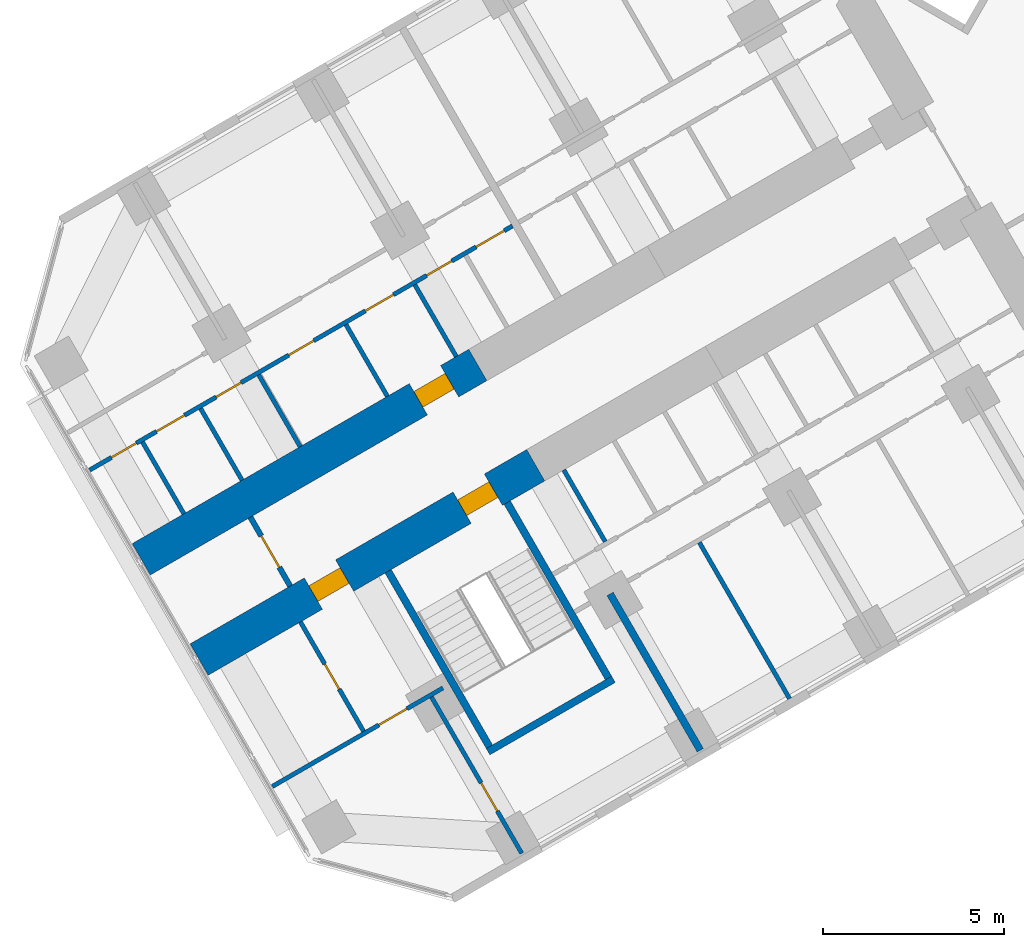
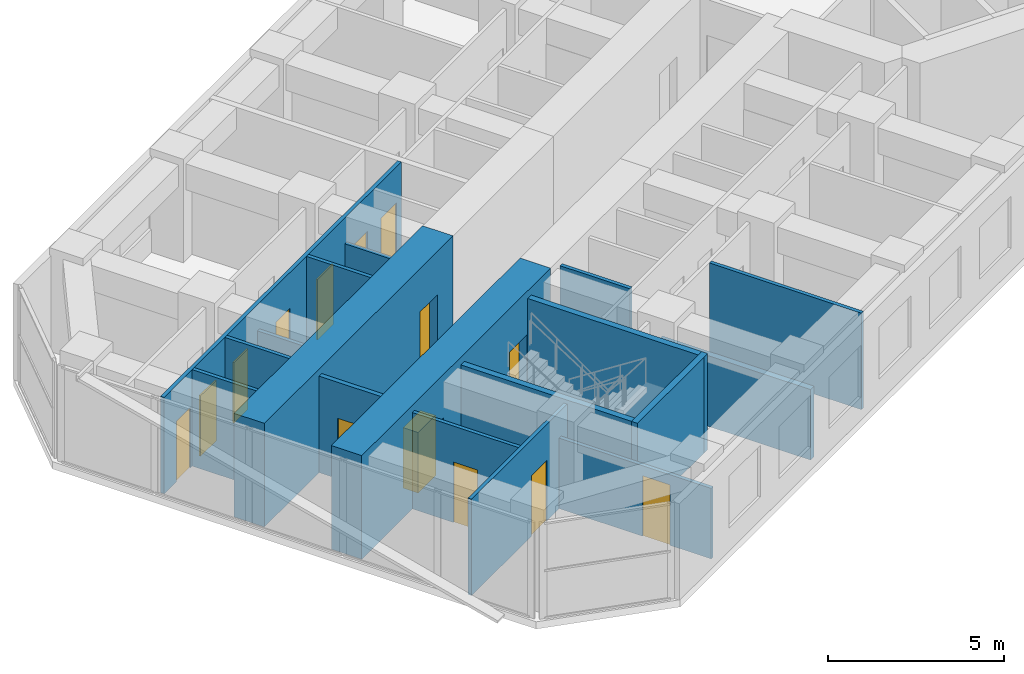
# One storey, part 8 of 18: 18 walls, 14 doors, 14 openings.
"""IFC4 building model written with IfcOpenShell, lengths in metres."""

from ifc_helpers import new_model, si_unit, direction, frame, frame_2d, origin, place, context, subcontext, project, spatial, rectangle, extrude, material, layer, layer_set, type_object, element, fill, save


model = new_model("IFC4")

# Units and contexts
model_context = context("Model", 3, precision=1e-05, world=origin(), true_north=direction((0.0, 1.0)))
body_context = subcontext(model_context, "Body", "Model", "MODEL_VIEW")
ifc_project = project(units=[si_unit("LENGTHUNIT", "METRE"), si_unit("AREAUNIT", "SQUARE_METRE"), si_unit("VOLUMEUNIT", "CUBIC_METRE"), si_unit("PLANEANGLEUNIT", "RADIAN"), si_unit("MASSUNIT", "GRAM", prefix="KILO")], contexts=[model_context])

# Site, building, storey
site_placement = place(None, origin())
site = spatial("IfcSite", under=ifc_project, at=site_placement, CompositionType="ELEMENT")
building_placement = place(site_placement, origin())
building = spatial("IfcBuilding", under=site, at=building_placement, Name="Kosmar Iwan School Tower", CompositionType="ELEMENT")
storey_placement = place(building_placement, frame((0.0, 0.0, 25.199951171875)))
storey = spatial("IfcBuildingStorey", under=building, at=storey_placement, Name="L05", CompositionType="ELEMENT", Elevation=25.199951171875)

# Wall, openings, doors
ifc_material_1 = material(Name="Concrete C50/60", Category="concrete")
ifc_layer_1 = layer(ifc_material_1, 1.0)
ifc_layer_set_1 = layer_set([ifc_layer_1], Name="Corridor buttress wall 1000")
wall_type_1 = type_object("IfcWallType", Name="Corridor buttress wall 1000", PredefinedType="SHEAR", material=ifc_layer_set_1)
wall_1_placement = place(storey_placement, frame((-19.681396484375, -13.210693359375, 0.0), z_axis=(0.0, 0.0, 1.0), x_axis=(-0.866028186671, -0.499995179869, 0.0)))
wall_1 = element("IfcWall", 1, at=wall_1_placement, inside=storey, type_object=wall_type_1, Name="Corridor wall BL bay 3", PredefinedType="SHEAR", context=body_context, shape_type="SweptSolid", body=[
    extrude(rectangle(XDim=10.7451171875, YDim=1.0, at=frame_2d((5.37255859375, 0.0))), origin(), (0.0, 0.0, 1.0), 3.60009765625),
])
opening_1_placement = place(wall_1_placement, frame((6.10009765625, 0.0, 0.0)))
opening_1 = element("IfcOpeningElement", 2, at=opening_1_placement, cuts=wall_1, Name="Opening D1", PredefinedType="OPENING", context=body_context, shape_type="SweptSolid", body=[
    extrude(rectangle(XDim=1.0, YDim=2.10009765625, at=frame_2d((0.5, 1.050048828125))), frame((0.0, 0.511962890625, 0.0), z_axis=(0.0, -1.0, 0.0), x_axis=(1.0, 0.0, 0.0)), (0.0, 0.0, 1.0), 1.02392578125),
])
opening_2_placement = place(wall_1_placement, frame((1.35009765625, 0.0, 0.0)))
opening_2 = element("IfcOpeningElement", 3, at=opening_2_placement, cuts=wall_1, Name="Opening D6", PredefinedType="OPENING", context=body_context, shape_type="SweptSolid", body=[
    extrude(rectangle(XDim=1.0, YDim=2.10009765625, at=frame_2d((0.5, 1.050048828125))), frame((0.0, 0.511962890625, 0.0), z_axis=(0.0, -1.0, 0.0), x_axis=(1.0, 0.0, 0.0)), (0.0, 0.0, 1.0), 1.02392578125),
])
ifc_material_2 = material(Name="Timber fire door in steel frame", Category="steel")
door_type_1 = type_object("IfcDoorType", Name="Flat entrance door 1000x2100", OperationType="SINGLE_SWING_LEFT", PredefinedType="DOOR", material=ifc_material_2)
door_1_placement = place(opening_1_placement, origin())
door_1 = element("IfcDoor", 4, at=door_1_placement, inside=storey, type_object=door_type_1, Name="Flat L05-BL2 entrance door", OperationType="SINGLE_SWING_RIGHT", OverallHeight=2.10009765625, OverallWidth=1.0, PredefinedType="DOOR", context=body_context, shape_type="SweptSolid", body=[
    extrude(rectangle(XDim=1.0, YDim=2.10009765625, at=frame_2d((0.5, 1.050048828125))), frame((0.0, 0.25, 0.0), z_axis=(0.0, -1.0, 0.0), x_axis=(1.0, 0.0, 0.0)), (0.0, 0.0, 1.0), 0.5),
])
fill(opening_1, door_1)
ifc_material_3 = material(Name="Steel fire door", Category="steel")
door_type_2 = type_object("IfcDoorType", Name="Stair door 1000x2100", OperationType="SINGLE_SWING_LEFT", PredefinedType="DOOR", material=ifc_material_3)
door_2_placement = place(opening_2_placement, origin())
door_2 = element("IfcDoor", 5, at=door_2_placement, inside=storey, type_object=door_type_2, Name="Stair WS2 door L05", OperationType="SINGLE_SWING_LEFT", OverallHeight=2.10009765625, OverallWidth=1.0, PredefinedType="DOOR", context=body_context, shape_type="SweptSolid", body=[
    extrude(rectangle(XDim=1.0, YDim=2.10009765625, at=frame_2d((0.5, 1.050048828125))), frame((0.0, 0.25, 0.0), z_axis=(0.0, -1.0, 0.0), x_axis=(1.0, 0.0, 0.0)), (0.0, 0.0, 1.0), 0.5),
])
fill(opening_2, door_2)

# Wall, opening, door
wall_2_placement = place(storey_placement, frame((-21.281494140625, -10.439453125, 0.0), z_axis=(0.0, 0.0, 1.0), x_axis=(-0.866032345022, -0.499987977232, 0.0)))
wall_2 = element("IfcWall", 6, at=wall_2_placement, inside=storey, type_object=wall_type_1, Name="Corridor wall BR bay 3", PredefinedType="SHEAR", context=body_context, shape_type="SweptSolid", body=[
    extrude(rectangle(XDim=10.744873046875, YDim=1.0, at=frame_2d((5.37255859375, 0.0))), origin(), (0.0, 0.0, 1.0), 3.60009765625),
])
opening_3_placement = place(wall_2_placement, frame((0.89990234375, 0.0, 0.0)))
opening_3 = element("IfcOpeningElement", 7, at=opening_3_placement, cuts=wall_2, Name="Opening D1", PredefinedType="OPENING", context=body_context, shape_type="SweptSolid", body=[
    extrude(rectangle(XDim=1.0, YDim=2.10009765625, at=frame_2d((0.5, 1.050048828125))), frame((0.0, 0.511962890625, 0.0), z_axis=(0.0, -1.0, 0.0), x_axis=(1.0, 0.0, 0.0)), (0.0, 0.0, 1.0), 1.02392578125),
])
door_3_placement = place(opening_3_placement, origin())
door_3 = element("IfcDoor", 8, at=door_3_placement, inside=storey, type_object=door_type_1, Name="Flat L05-BR2 entrance door", OperationType="SINGLE_SWING_LEFT", OverallHeight=2.10009765625, OverallWidth=1.0, PredefinedType="DOOR", context=body_context, shape_type="SweptSolid", body=[
    extrude(rectangle(XDim=1.0, YDim=2.10009765625, at=frame_2d((0.5, 1.050048828125))), frame((0.0, 0.25, 0.0), z_axis=(0.0, -1.0, 0.0), x_axis=(1.0, 0.0, 0.0)), (0.0, 0.0, 1.0), 0.5),
])
fill(opening_3, door_3)

ifc_material_4 = material(Name="Gypsum board on steel studs, fire-rated", Category="steel")
ifc_layer_2 = layer(ifc_material_4, 0.14990234375)
ifc_layer_set_2 = layer_set([ifc_layer_2], Name="Corridor end wall 150")
wall_type_2 = type_object("IfcWallType", Name="Corridor end wall 150", PredefinedType="PARTITIONING", material=ifc_layer_set_2)
wall_3_placement = place(storey_placement, frame((-27.570068359375, -14.6474609375, 0.0), z_axis=(0.0, 0.0, 1.0), x_axis=(0.50002983664, -0.866008176907, 0.0)))
wall_3 = element("IfcWall", 9, at=wall_3_placement, inside=storey, type_object=wall_type_2, Name="Partition L05-B-CE", PredefinedType="PARTITIONING", context=body_context, shape_type="SweptSolid", body=[
    extrude(rectangle(XDim=2.199951171875, YDim=0.14990234375, at=frame_2d((1.10009765625, 0.0))), origin(), (0.0, 0.0, 1.0), 3.35009765625),
])
opening_4_placement = place(wall_3_placement, frame((0.60009765625, 0.0, 0.0)))
opening_4 = element("IfcOpeningElement", 10, at=opening_4_placement, cuts=wall_3, Name="Opening D13", PredefinedType="OPENING", context=body_context, shape_type="SweptSolid", body=[
    extrude(rectangle(XDim=1.0, YDim=2.10009765625, at=frame_2d((0.5, 1.050048828125))), frame((0.0, 0.0869140625, 0.0), z_axis=(0.0, -1.0, 0.0), x_axis=(1.0, 0.0, 0.0)), (0.0, 0.0, 1.0), 0.173828125),
])
ifc_material_5 = material(Name="Timber fire door with vision panel", Category="wood")
door_type_3 = type_object("IfcDoorType", Name="Corridor end door 1000x2100", OperationType="SINGLE_SWING_LEFT", PredefinedType="DOOR", material=ifc_material_5)
door_4_placement = place(opening_4_placement, origin())
door_4 = element("IfcDoor", 11, at=door_4_placement, inside=storey, type_object=door_type_3, Name="Children's play room door L05-B", OperationType="SINGLE_SWING_RIGHT", OverallHeight=2.10009765625, OverallWidth=1.0, PredefinedType="DOOR", context=body_context, shape_type="SweptSolid", body=[
    extrude(rectangle(XDim=1.0, YDim=2.10009765625, at=frame_2d((0.5, 1.050048828125))), frame((0.0, 0.02490234375, 0.0), z_axis=(0.0, -1.0, 0.0), x_axis=(1.0, 0.0, 0.0)), (0.0, 0.0, 1.0), 0.050048828125),
])
fill(opening_4, door_4)

# Walls
ifc_material_6 = material(Name="Gypsum board on steel studs", Category="steel")
ifc_layer_3 = layer(ifc_material_6, 0.1201171875)
ifc_layer_set_3 = layer_set([ifc_layer_3], Name="Dwelling partition 120")
wall_type_3 = type_object("IfcWallType", Name="Dwelling partition 120", PredefinedType="PARTITIONING", material=ifc_layer_set_3)
wall_4_placement = place(storey_placement, frame((-15.158447265625, -15.344970703125, 0.0), z_axis=(0.0, 0.0, 1.0), x_axis=(0.500011847778, -0.866018563358, 0.0)))
element("IfcWall", 12, at=wall_4_placement, inside=storey, type_object=wall_type_3, Name="Partition L05-BL1-X4", PredefinedType="PARTITIONING", context=body_context, shape_type="SweptSolid", body=[
    extrude(rectangle(XDim=4.990234375, YDim=0.1201171875, at=frame_2d((2.4951171875, 0.0))), origin(), (0.0, 0.0, 1.0), 3.35009765625),
])
wall_5_placement = place(storey_placement, frame((-18.906005859375, -13.34033203125, 0.0), z_axis=(0.0, 0.0, 1.0), x_axis=(0.500014693593, -0.866016920268, 0.0)))
element("IfcWall", 13, at=wall_5_placement, inside=storey, type_object=wall_type_3, Name="Partition L05-BL1-Y7", PredefinedType="PARTITIONING", context=body_context, shape_type="SweptSolid", body=[
    extrude(rectangle(XDim=2.2900390625, YDim=0.1201171875, at=frame_2d((1.14501953125, 0.0))), origin(), (0.0, 0.0, 1.0), 3.35009765625),
])

# Wall, opening, door
wall_6_placement = place(storey_placement, frame((-22.562744140625, -19.6201171875, 0.0), z_axis=(0.0, 0.0, 1.0), x_axis=(0.499996339024, -0.86602751744, 0.0)))
wall_6 = element("IfcWall", 14, at=wall_6_placement, inside=storey, type_object=wall_type_3, Name="Partition L05-BL2-TX", PredefinedType="PARTITIONING", context=body_context, shape_type="SweptSolid", body=[
    extrude(rectangle(XDim=4.98974609375, YDim=0.1201171875, at=frame_2d((2.494873046875, 0.0))), origin(), (0.0, 0.0, 1.0), 2.449951171875),
])
opening_5_placement = place(wall_6_placement, frame((2.739990234375, 0.0, 0.0)))
opening_5 = element("IfcOpeningElement", 15, at=opening_5_placement, cuts=wall_6, Name="Opening D2", PredefinedType="OPENING", context=body_context, shape_type="SweptSolid", body=[
    extrude(rectangle(XDim=0.89990234375, YDim=2.10009765625, at=frame_2d((0.449951171875, 1.050048828125))), frame((0.0, 0.072021484375, 0.0), z_axis=(0.0, -1.0, 0.0), x_axis=(1.0, 0.0, 0.0)), (0.0, 0.0, 1.0), 0.14404296875),
])
ifc_material_7 = material(Name="Timber door in timber frame", Category="wood")
door_type_4 = type_object("IfcDoorType", Name="Internal door 900x2100", OperationType="SINGLE_SWING_LEFT", PredefinedType="DOOR", material=ifc_material_7)
door_5_placement = place(opening_5_placement, origin())
door_5 = element("IfcDoor", 16, at=door_5_placement, inside=storey, type_object=door_type_4, Name="Bedroom 1 door L05-BL2-T1", OperationType="SINGLE_SWING_RIGHT", OverallHeight=2.10009765625, OverallWidth=0.89990234375, PredefinedType="DOOR", context=body_context, shape_type="SweptSolid", body=[
    extrude(rectangle(XDim=0.89990234375, YDim=2.10009765625, at=frame_2d((0.449951171875, 1.050048828125))), frame((0.0, 0.02490234375, 0.0), z_axis=(0.0, -1.0, 0.0), x_axis=(1.0, 0.0, 0.0)), (0.0, 0.0, 1.0), 0.050048828125),
])
fill(opening_5, door_5)

wall_7_placement = place(storey_placement, frame((-22.246337890625, -19.3681640625, 0.0), z_axis=(0.0, 0.0, 1.0), x_axis=(-0.866035508231, -0.499982498177, 0.0)))
wall_7 = element("IfcWall", 17, at=wall_7_placement, inside=storey, type_object=wall_type_3, Name="Partition L05-BL2-TW", PredefinedType="PARTITIONING", context=body_context, shape_type="SweptSolid", body=[
    extrude(rectangle(XDim=5.445068359375, YDim=0.1201171875, at=frame_2d((2.72265625, 0.0))), origin(), (0.0, 0.0, 1.0), 3.35009765625),
])
opening_6_placement = place(wall_7_placement, frame((1.14990234375, 0.0, 0.0)))
opening_6 = element("IfcOpeningElement", 18, at=opening_6_placement, cuts=wall_7, Name="Opening D2", PredefinedType="OPENING", context=body_context, shape_type="SweptSolid", body=[
    extrude(rectangle(XDim=0.89990234375, YDim=2.10009765625, at=frame_2d((0.449951171875, 1.050048828125))), frame((0.0, 0.072021484375, 0.0), z_axis=(0.0, -1.0, 0.0), x_axis=(1.0, 0.0, 0.0)), (0.0, 0.0, 1.0), 0.14404296875),
])
door_6_placement = place(opening_6_placement, origin())
door_6 = element("IfcDoor", 19, at=door_6_placement, inside=storey, type_object=door_type_4, Name="Entrance hall door L05-BL2-T3", OperationType="SINGLE_SWING_LEFT", OverallHeight=2.10009765625, OverallWidth=0.89990234375, PredefinedType="DOOR", context=body_context, shape_type="SweptSolid", body=[
    extrude(rectangle(XDim=0.89990234375, YDim=2.10009765625, at=frame_2d((0.449951171875, 1.050048828125))), frame((0.0, 0.02490234375, 0.0), z_axis=(0.0, -1.0, 0.0), x_axis=(1.0, 0.0, 0.0)), (0.0, 0.0, 1.0), 0.050048828125),
])
fill(opening_6, door_6)

wall_8_placement = place(storey_placement, frame((-26.1865234375, -17.543701171875, 0.0), z_axis=(0.0, 0.0, 1.0), x_axis=(0.50002117804, -0.866013176292, 0.0)))
wall_8 = element("IfcWall", 20, at=wall_8_placement, inside=storey, type_object=wall_type_3, Name="Partition L05-BL2-TY", PredefinedType="PARTITIONING", context=body_context, shape_type="SweptSolid", body=[
    extrude(rectangle(XDim=3.489990234375, YDim=0.1201171875, at=frame_2d((1.7451171875, 0.0))), origin(), (0.0, 0.0, 1.0), 3.35009765625),
])
opening_7_placement = place(wall_8_placement, frame((1.344970703125, 0.0, 0.0)))
opening_7 = element("IfcOpeningElement", 21, at=opening_7_placement, cuts=wall_8, Name="Opening D3", PredefinedType="OPENING", context=body_context, shape_type="SweptSolid", body=[
    extrude(rectangle(XDim=0.800048828125, YDim=2.10009765625, at=frame_2d((0.39990234375, 1.050048828125))), frame((0.0, 0.072021484375, 0.0), z_axis=(0.0, -1.0, 0.0), x_axis=(1.0, 0.0, 0.0)), (0.0, 0.0, 1.0), 0.14404296875),
])
ifc_material_8 = material(Name="Timber door in timber frame", Category="wood")
door_type_5 = type_object("IfcDoorType", Name="Sanitary room door 800x2100", OperationType="SINGLE_SWING_LEFT", PredefinedType="DOOR", material=ifc_material_8)
door_7_placement = place(opening_7_placement, origin())
door_7 = element("IfcDoor", 22, at=door_7_placement, inside=storey, type_object=door_type_5, Name="Bathroom door L05-BL2-T4", OperationType="SINGLE_SWING_LEFT", OverallHeight=2.10009765625, OverallWidth=0.800048828125, PredefinedType="DOOR", context=body_context, shape_type="SweptSolid", body=[
    extrude(rectangle(XDim=0.800048828125, YDim=2.10009765625, at=frame_2d((0.39990234375, 1.050048828125))), frame((0.0, 0.02490234375, 0.0), z_axis=(0.0, -1.0, 0.0), x_axis=(1.0, 0.0, 0.0)), (0.0, 0.0, 1.0), 0.050048828125),
])
fill(opening_7, door_7)

# Wall, openings, doors
wall_9_placement = place(storey_placement, frame((-20.324951171875, -6.59619140625, 0.0), z_axis=(0.0, 0.0, 1.0), x_axis=(-0.866023503214, -0.50000329187, 0.0)))
wall_9 = element("IfcWall", 23, at=wall_9_placement, inside=storey, type_object=wall_type_3, Name="Partition L05-BR2-W1", PredefinedType="PARTITIONING", context=body_context, shape_type="SweptSolid", body=[
    extrude(rectangle(XDim=13.4951171875, YDim=0.1201171875, at=frame_2d((6.74755859375, 0.0))), origin(), (0.0, 0.0, 1.0), 3.35009765625),
])
opening_8_placement = place(wall_9_placement, frame((0.262451171875, 0.0, 0.0)))
opening_8 = element("IfcOpeningElement", 24, at=opening_8_placement, cuts=wall_9, Name="Opening D2", PredefinedType="OPENING", context=body_context, shape_type="SweptSolid", body=[
    extrude(rectangle(XDim=0.89990234375, YDim=2.10009765625, at=frame_2d((0.449951171875, 1.050048828125))), frame((0.0, 0.072021484375, 0.0), z_axis=(0.0, -1.0, 0.0), x_axis=(1.0, 0.0, 0.0)), (0.0, 0.0, 1.0), 0.14404296875),
])
opening_9_placement = place(wall_9_placement, frame((1.9375, 0.0, 0.0)))
opening_9 = element("IfcOpeningElement", 25, at=opening_9_placement, cuts=wall_9, Name="Opening D3", PredefinedType="OPENING", context=body_context, shape_type="SweptSolid", body=[
    extrude(rectangle(XDim=0.800048828125, YDim=2.10009765625, at=frame_2d((0.39990234375, 1.050048828125))), frame((0.0, 0.072021484375, 0.0), z_axis=(0.0, -1.0, 0.0), x_axis=(1.0, 0.0, 0.0)), (0.0, 0.0, 1.0), 0.14404296875),
])
opening_10_placement = place(wall_9_placement, frame((3.800048828125, 0.0, 0.0)))
opening_10 = element("IfcOpeningElement", 26, at=opening_10_placement, cuts=wall_9, Name="Opening D2", PredefinedType="OPENING", context=body_context, shape_type="SweptSolid", body=[
    extrude(rectangle(XDim=0.89990234375, YDim=2.10009765625, at=frame_2d((0.449951171875, 1.050048828125))), frame((0.0, 0.072021484375, 0.0), z_axis=(0.0, -1.0, 0.0), x_axis=(1.0, 0.0, 0.0)), (0.0, 0.0, 1.0), 0.14404296875),
])
opening_11_placement = place(wall_9_placement, frame((6.341796875, 0.0, 0.0)))
opening_11 = element("IfcOpeningElement", 27, at=opening_11_placement, cuts=wall_9, Name="Opening D3", PredefinedType="OPENING", context=body_context, shape_type="SweptSolid", body=[
    extrude(rectangle(XDim=0.800048828125, YDim=2.10009765625, at=frame_2d((0.39990234375, 1.050048828125))), frame((0.0, 0.072021484375, 0.0), z_axis=(0.0, -1.0, 0.0), x_axis=(1.0, 0.0, 0.0)), (0.0, 0.0, 1.0), 0.14404296875),
])
opening_12_placement = place(wall_9_placement, frame((8.6611328125, 0.0, 0.0)))
opening_12 = element("IfcOpeningElement", 28, at=opening_12_placement, cuts=wall_9, Name="Opening D3", PredefinedType="OPENING", context=body_context, shape_type="SweptSolid", body=[
    extrude(rectangle(XDim=0.800048828125, YDim=2.10009765625, at=frame_2d((0.39990234375, 1.050048828125))), frame((0.0, 0.072021484375, 0.0), z_axis=(0.0, -1.0, 0.0), x_axis=(1.0, 0.0, 0.0)), (0.0, 0.0, 1.0), 0.14404296875),
])
opening_13_placement = place(wall_9_placement, frame((10.466796875, 0.0, 0.0)))
opening_13 = element("IfcOpeningElement", 29, at=opening_13_placement, cuts=wall_9, Name="Opening D2", PredefinedType="OPENING", context=body_context, shape_type="SweptSolid", body=[
    extrude(rectangle(XDim=0.89990234375, YDim=2.10009765625, at=frame_2d((0.449951171875, 1.050048828125))), frame((0.0, 0.072021484375, 0.0), z_axis=(0.0, -1.0, 0.0), x_axis=(1.0, 0.0, 0.0)), (0.0, 0.0, 1.0), 0.14404296875),
])
opening_14_placement = place(wall_9_placement, frame((12.00439453125, 0.0, 0.0)))
opening_14 = element("IfcOpeningElement", 30, at=opening_14_placement, cuts=wall_9, Name="Opening D3", PredefinedType="OPENING", context=body_context, shape_type="SweptSolid", body=[
    extrude(rectangle(XDim=0.800048828125, YDim=2.10009765625, at=frame_2d((0.39990234375, 1.050048828125))), frame((0.0, 0.072021484375, 0.0), z_axis=(0.0, -1.0, 0.0), x_axis=(1.0, 0.0, 0.0)), (0.0, 0.0, 1.0), 0.14404296875),
])
door_8_placement = place(opening_8_placement, origin())
door_8 = element("IfcDoor", 31, at=door_8_placement, inside=storey, type_object=door_type_4, Name="Utility room door L05-BR2-S1", OperationType="SINGLE_SWING_RIGHT", OverallHeight=2.10009765625, OverallWidth=0.89990234375, PredefinedType="DOOR", context=body_context, shape_type="SweptSolid", body=[
    extrude(rectangle(XDim=0.89990234375, YDim=2.10009765625, at=frame_2d((0.449951171875, 1.050048828125))), frame((0.0, 0.02490234375, 0.0), z_axis=(0.0, -1.0, 0.0), x_axis=(1.0, 0.0, 0.0)), (0.0, 0.0, 1.0), 0.050048828125),
])
fill(opening_8, door_8)
door_9_placement = place(opening_10_placement, origin())
door_9 = element("IfcDoor", 32, at=door_9_placement, inside=storey, type_object=door_type_4, Name="Entrance hall door L05-BR2-S3", OperationType="SINGLE_SWING_RIGHT", OverallHeight=2.10009765625, OverallWidth=0.89990234375, PredefinedType="DOOR", context=body_context, shape_type="SweptSolid", body=[
    extrude(rectangle(XDim=0.89990234375, YDim=2.10009765625, at=frame_2d((0.449951171875, 1.050048828125))), frame((0.0, 0.02490234375, 0.0), z_axis=(0.0, -1.0, 0.0), x_axis=(1.0, 0.0, 0.0)), (0.0, 0.0, 1.0), 0.050048828125),
])
fill(opening_10, door_9)
door_10_placement = place(opening_13_placement, origin())
door_10 = element("IfcDoor", 33, at=door_10_placement, inside=storey, type_object=door_type_4, Name="Pantry door L05-BR2-S6", OperationType="SINGLE_SWING_LEFT", OverallHeight=2.10009765625, OverallWidth=0.89990234375, PredefinedType="DOOR", context=body_context, shape_type="SweptSolid", body=[
    extrude(rectangle(XDim=0.89990234375, YDim=2.10009765625, at=frame_2d((0.449951171875, 1.050048828125))), frame((0.0, 0.02490234375, 0.0), z_axis=(0.0, -1.0, 0.0), x_axis=(1.0, 0.0, 0.0)), (0.0, 0.0, 1.0), 0.050048828125),
])
fill(opening_13, door_10)
door_11_placement = place(opening_9_placement, origin())
door_11 = element("IfcDoor", 34, at=door_11_placement, inside=storey, type_object=door_type_5, Name="WC door L05-BR2-S2", OperationType="SINGLE_SWING_LEFT", OverallHeight=2.10009765625, OverallWidth=0.800048828125, PredefinedType="DOOR", context=body_context, shape_type="SweptSolid", body=[
    extrude(rectangle(XDim=0.800048828125, YDim=2.10009765625, at=frame_2d((0.39990234375, 1.050048828125))), frame((0.0, 0.02490234375, 0.0), z_axis=(0.0, -1.0, 0.0), x_axis=(1.0, 0.0, 0.0)), (0.0, 0.0, 1.0), 0.050048828125),
])
fill(opening_9, door_11)
door_12_placement = place(opening_11_placement, origin())
door_12 = element("IfcDoor", 35, at=door_12_placement, inside=storey, type_object=door_type_5, Name="Bathroom door L05-BR2-S4", OperationType="SINGLE_SWING_LEFT", OverallHeight=2.10009765625, OverallWidth=0.800048828125, PredefinedType="DOOR", context=body_context, shape_type="SweptSolid", body=[
    extrude(rectangle(XDim=0.800048828125, YDim=2.10009765625, at=frame_2d((0.39990234375, 1.050048828125))), frame((0.0, 0.02490234375, 0.0), z_axis=(0.0, -1.0, 0.0), x_axis=(1.0, 0.0, 0.0)), (0.0, 0.0, 1.0), 0.050048828125),
])
fill(opening_11, door_12)
door_13_placement = place(opening_12_placement, origin())
door_13 = element("IfcDoor", 36, at=door_13_placement, inside=storey, type_object=door_type_5, Name="Shower room door L05-BR2-S5", OperationType="SINGLE_SWING_RIGHT", OverallHeight=2.10009765625, OverallWidth=0.800048828125, PredefinedType="DOOR", context=body_context, shape_type="SweptSolid", body=[
    extrude(rectangle(XDim=0.800048828125, YDim=2.10009765625, at=frame_2d((0.39990234375, 1.050048828125))), frame((0.0, 0.02490234375, 0.0), z_axis=(0.0, -1.0, 0.0), x_axis=(1.0, 0.0, 0.0)), (0.0, 0.0, 1.0), 0.050048828125),
])
fill(opening_12, door_13)
door_14_placement = place(opening_14_placement, origin())
door_14 = element("IfcDoor", 37, at=door_14_placement, inside=storey, type_object=door_type_5, Name="Store door L05-BR2-S7", OperationType="SINGLE_SWING_LEFT", OverallHeight=2.10009765625, OverallWidth=0.800048828125, PredefinedType="DOOR", context=body_context, shape_type="SweptSolid", body=[
    extrude(rectangle(XDim=0.800048828125, YDim=2.10009765625, at=frame_2d((0.39990234375, 1.050048828125))), frame((0.0, 0.02490234375, 0.0), z_axis=(0.0, -1.0, 0.0), x_axis=(1.0, 0.0, 0.0)), (0.0, 0.0, 1.0), 0.050048828125),
])
fill(opening_14, door_14)

# Walls
wall_10_placement = place(storey_placement, frame((-21.8779296875, -10.206298828125, 0.0), z_axis=(0.0, 0.0, 1.0), x_axis=(-0.500014693593, 0.866016920268, 0.0)))
element("IfcWall", 38, at=wall_10_placement, inside=storey, type_object=wall_type_3, Name="Partition L05-BR2-Y2", PredefinedType="PARTITIONING", context=body_context, shape_type="SweptSolid", body=[
    extrude(rectangle(XDim=2.2900390625, YDim=0.1201171875, at=frame_2d((1.14501953125, 0.0))), origin(), (0.0, 0.0, 1.0), 2.449951171875),
])
wall_11_placement = place(storey_placement, frame((-23.783203125, -11.306396484375, 0.0), z_axis=(0.0, 0.0, 1.0), x_axis=(-0.500014693593, 0.866016920268, 0.0)))
element("IfcWall", 39, at=wall_11_placement, inside=storey, type_object=wall_type_3, Name="Partition L05-BR2-Y3", PredefinedType="PARTITIONING", context=body_context, shape_type="SweptSolid", body=[
    extrude(rectangle(XDim=2.2900390625, YDim=0.1201171875, at=frame_2d((1.14501953125, 0.0))), origin(), (0.0, 0.0, 1.0), 3.35009765625),
])
wall_12_placement = place(storey_placement, frame((-26.193603515625, -12.697998046875, 0.0), z_axis=(0.0, 0.0, 1.0), x_axis=(-0.500014693593, 0.866016920268, 0.0)))
element("IfcWall", 40, at=wall_12_placement, inside=storey, type_object=wall_type_3, Name="Partition L05-BR2-Y4", PredefinedType="PARTITIONING", context=body_context, shape_type="SweptSolid", body=[
    extrude(rectangle(XDim=2.2900390625, YDim=0.1201171875, at=frame_2d((1.14501953125, 0.0))), origin(), (0.0, 0.0, 1.0), 2.449951171875),
])
for number, where, z_axis, x_axis, name in (
    (41, (-27.800537109375, -13.625732421875, 0.0), (0.0, 0.0, 1.0), (-0.500014693593, 0.866016920268, 0.0), "Partition L05-BR2-Y5"),
    (42, (-29.407470703125, -14.553466796875, 0.0), (0.0, 0.0, 1.0), (-0.500014693593, 0.866016920268, 0.0), "Partition L05-BR2-Y6"),
):
    element("IfcWall", number, at=place(storey_placement, frame(where, z_axis=z_axis, x_axis=x_axis)), inside=storey, type_object=wall_type_3, Name=name, PredefinedType="PARTITIONING", context=body_context, shape_type="SweptSolid", body=[
        extrude(rectangle(XDim=2.2900390625, YDim=0.1201171875, at=frame_2d((1.14501953125, 0.0))), origin(), (0.0, 0.0, 1.0), 3.35009765625),
    ])
ifc_material_9 = material(Name="Concrete C35/45", Category="concrete")
ifc_layer_4 = layer(ifc_material_9, 0.199951171875)
ifc_layer_set_4 = layer_set([ifc_layer_4], Name="Escape stair wall 200")
wall_type_4 = type_object("IfcWallType", Name="Escape stair wall 200", PredefinedType="SHEAR", material=ifc_layer_set_4)
for number, where, z_axis, x_axis, name in (
    (43, (-20.470703125, -14.24365234375, 0.0), (0.0, 0.0, 1.0), (0.499987231761, -0.866032775405, 0.0), "Stair WS2 wall"),
    (44, (-23.76171875, -16.1435546875, 0.0), (0.0, 0.0, 1.0), (0.500018801468, -0.86601454848, 0.0), "Stair WS2 wall"),
):
    element("IfcWall", number, at=place(storey_placement, frame(where, z_axis=z_axis, x_axis=x_axis)), inside=storey, type_object=wall_type_4, Name=name, PredefinedType="SHEAR", context=body_context, shape_type="SweptSolid", body=[
        extrude(rectangle(XDim=5.800048828125, YDim=0.199951171875, at=frame_2d((2.89990234375, 0.0))), origin(), (0.0, 0.0, 1.0), 3.330078125),
    ])
wall_13_placement = place(storey_placement, frame((-17.5341796875, -19.1298828125, 0.0), z_axis=(0.0, 0.0, 1.0), x_axis=(-0.866026010844, -0.49999894854, 0.0)))
element("IfcWall", 45, at=wall_13_placement, inside=storey, type_object=wall_type_4, Name="Stair WS2 wall", PredefinedType="SHEAR", context=body_context, shape_type="SweptSolid", body=[
    extrude(rectangle(XDim=4.0, YDim=0.199951171875, at=frame_2d((2.0, 0.0))), origin(), (0.0, 0.0, 1.0), 3.330078125),
])
ifc_material_10 = material(Name="Concrete block masonry", Category="masonry")
ifc_layer_5 = layer(ifc_material_10, 0.199951171875)
ifc_layer_set_5 = layer_set([ifc_layer_5], Name="Party wall 200")
wall_type_5 = type_object("IfcWallType", Name="Party wall 200", PredefinedType="PARTITIONING", material=ifc_layer_set_5)
wall_14_placement = place(storey_placement, frame((-17.62646484375, -16.77001953125, 0.0), z_axis=(0.0, 0.0, 1.0), x_axis=(0.499975153383, -0.86603974851, 0.0)))
element("IfcWall", 46, at=wall_14_placement, inside=storey, type_object=wall_type_5, Name="Partition L05-BL2-TB", PredefinedType="PARTITIONING", context=body_context, shape_type="SweptSolid", body=[
    extrude(rectangle(XDim=4.989990234375, YDim=0.199951171875, at=frame_2d((2.4951171875, 0.0))), origin(), (0.0, 0.0, 1.0), 2.449951171875),
])

save(model, "model.ifc")
